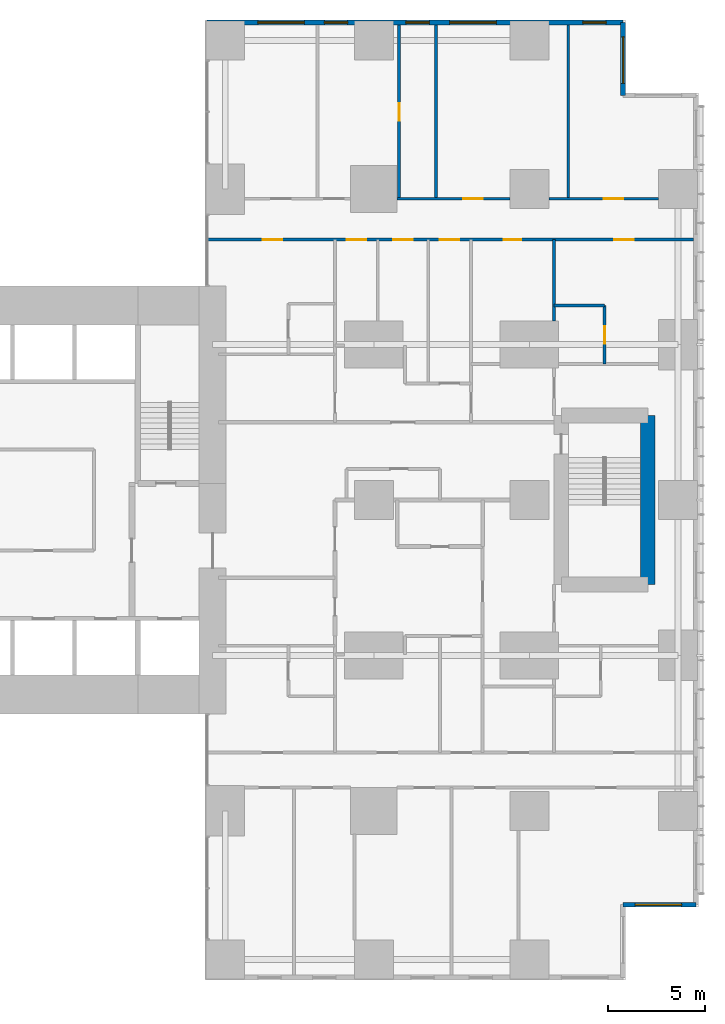
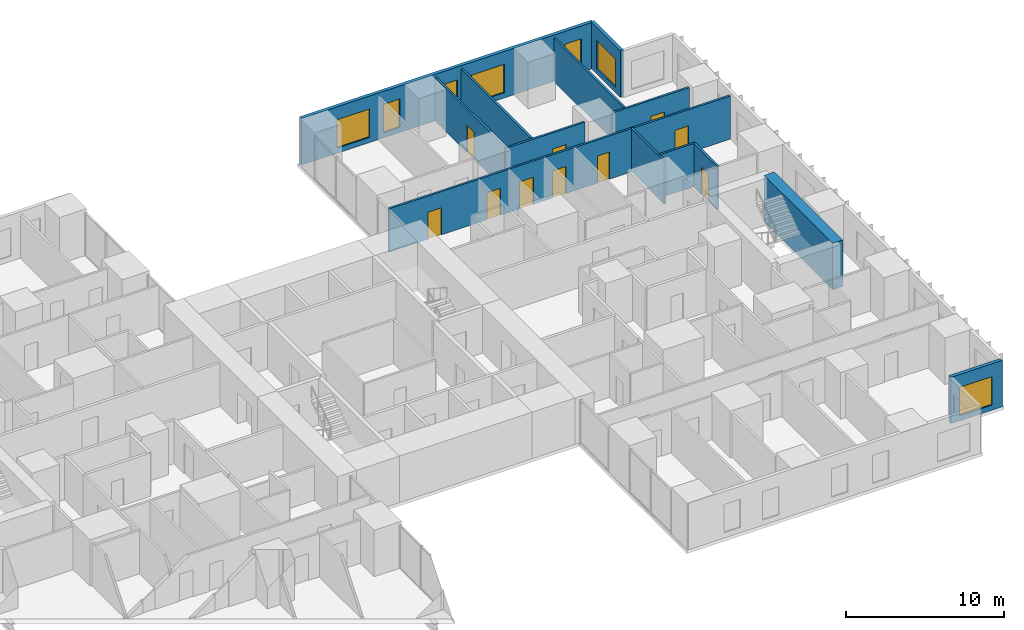
# One storey, part 18 of 20: 13 walls, 10 doors, 7 windows, 17 openings.
"""IFC4 building model written with IfcOpenShell, lengths in metres."""

from ifc_helpers import new_model, si_unit, direction, frame, frame_2d, origin, place, context, subcontext, project, spatial, rectangle, extrude, material, layer, layer_set, type_object, element, fill, save


model = new_model("IFC4")

# Units and contexts
model_context = context("Model", 3, precision=1e-05, world=origin(), true_north=direction((0.0, 1.0)))
body_context = subcontext(model_context, "Body", "Model", "MODEL_VIEW")
ifc_project = project(units=[si_unit("LENGTHUNIT", "METRE"), si_unit("AREAUNIT", "SQUARE_METRE"), si_unit("VOLUMEUNIT", "CUBIC_METRE"), si_unit("PLANEANGLEUNIT", "RADIAN"), si_unit("MASSUNIT", "GRAM", prefix="KILO")], contexts=[model_context])

# Site, building, storey
site_placement = place(None, origin())
site = spatial("IfcSite", under=ifc_project, at=site_placement, CompositionType="ELEMENT")
building_placement = place(site_placement, origin())
building = spatial("IfcBuilding", under=site, at=building_placement, Name="Cleftline Residences", CompositionType="ELEMENT")
storey_placement = place(building_placement, frame((0.0, 0.0, 121.39990234375)))
storey = spatial("IfcBuildingStorey", under=building, at=storey_placement, Name="L31", CompositionType="ELEMENT", Elevation=121.39990234375)

# Wall, opening, window
ifc_material_1 = material(Name="Rendered reinforced concrete blockwork", Category="masonry")
ifc_layer_1 = layer(ifc_material_1, 0.25)
ifc_layer_set_1 = layer_set([ifc_layer_1], Name="EXTERNAL WALL 250")
wall_type_1 = type_object("IfcWallType", Name="EXTERNAL WALL 250", PredefinedType="SOLIDWALL", material=ifc_layer_set_1)
wall_1_placement = place(storey_placement, frame((62.824951171875, 3.175048828125, 0.0), z_axis=(0.0, 0.0, 1.0), x_axis=(1.0, 0.0, 0.0)))
wall_1 = element("IfcWall", 1, at=wall_1_placement, inside=storey, type_object=wall_type_1, Name="External wall", PredefinedType="SOLIDWALL", context=body_context, shape_type="SweptSolid", body=[
    extrude(rectangle(XDim=3.75, YDim=0.25, at=frame_2d((1.875, 0.0))), origin(), (0.0, 0.0, 1.0), 3.60009765625),
])
opening_1_placement = place(wall_1_placement, frame((0.612548828125, 0.0, 0.39990234375)))
opening_1 = element("IfcOpeningElement", 2, at=opening_1_placement, cuts=wall_1, Name="Opening W12", PredefinedType="OPENING", context=body_context, shape_type="SweptSolid", body=[
    extrude(rectangle(XDim=2.39990234375, YDim=2.199951171875, at=frame_2d((1.199951171875, 1.10009765625))), frame((0.0, 0.135009765625, 0.0), z_axis=(0.0, -1.0, 0.0), x_axis=(1.0, 0.0, 0.0)), (0.0, 0.0, 1.0), 0.27001953125),
])
ifc_material_2 = material(Name="Aluminium frame, clear double glazing", Category="aluminium")
window_type_1 = type_object("IfcWindowType", Name="WINDOW 2400X2200", PartitioningType="DOUBLE_PANEL_VERTICAL", PredefinedType="WINDOW", material=ifc_material_2)
window_1_placement = place(opening_1_placement, origin())
window_1 = element("IfcWindow", 3, at=window_1_placement, inside=storey, type_object=window_type_1, Name="Window", OverallHeight=2.199951171875, OverallWidth=2.39990234375, PartitioningType="SINGLE_PANEL", PredefinedType="WINDOW", context=body_context, shape_type="SweptSolid", body=[
    extrude(rectangle(XDim=2.39990234375, YDim=2.199951171875, at=frame_2d((1.199951171875, 1.10009765625))), frame((0.0, 0.030029296875, 0.0), z_axis=(0.0, -1.0, 0.0), x_axis=(1.0, 0.0, 0.0)), (0.0, 0.0, 1.0), 0.06005859375),
])
fill(opening_1, window_1)

wall_2_placement = place(storey_placement, frame((62.824951171875, 44.824951171875, 0.0), z_axis=(0.0, 0.0, 1.0), x_axis=(0.0, 1.0, 0.0)))
wall_2 = element("IfcWall", 4, at=wall_2_placement, inside=storey, type_object=wall_type_1, Name="External wall", PredefinedType="SOLIDWALL", context=body_context, shape_type="SweptSolid", body=[
    extrude(rectangle(XDim=3.75, YDim=0.25, at=frame_2d((1.875, 0.0))), origin(), (0.0, 0.0, 1.0), 3.60009765625),
])
opening_2_placement = place(wall_2_placement, frame((0.612548828125, 0.0, 0.39990234375)))
opening_2 = element("IfcOpeningElement", 5, at=opening_2_placement, cuts=wall_2, Name="Opening W12", PredefinedType="OPENING", context=body_context, shape_type="SweptSolid", body=[
    extrude(rectangle(XDim=2.39990234375, YDim=2.199951171875, at=frame_2d((1.199951171875, 1.10009765625))), frame((0.0, 0.135009765625, 0.0), z_axis=(0.0, -1.0, 0.0), x_axis=(1.0, 0.0, 0.0)), (0.0, 0.0, 1.0), 0.27001953125),
])
window_2_placement = place(opening_2_placement, origin())
window_2 = element("IfcWindow", 6, at=window_2_placement, inside=storey, type_object=window_type_1, Name="Window", OverallHeight=2.199951171875, OverallWidth=2.39990234375, PartitioningType="SINGLE_PANEL", PredefinedType="WINDOW", context=body_context, shape_type="SweptSolid", body=[
    extrude(rectangle(XDim=2.39990234375, YDim=2.199951171875, at=frame_2d((1.199951171875, 1.10009765625))), frame((0.0, 0.030029296875, 0.0), z_axis=(0.0, -1.0, 0.0), x_axis=(1.0, 0.0, 0.0)), (0.0, 0.0, 1.0), 0.06005859375),
])
fill(opening_2, window_2)

# Wall, openings, windows
wall_3_placement = place(storey_placement, frame((62.824951171875, 48.574951171875, 0.0), z_axis=(0.0, 0.0, 1.0), x_axis=(-1.0, 0.0, 0.0)))
wall_3 = element("IfcWall", 7, at=wall_3_placement, inside=storey, type_object=wall_type_1, Name="External wall", PredefinedType="SOLIDWALL", context=body_context, shape_type="SweptSolid", body=[
    extrude(rectangle(XDim=21.39990234375, YDim=0.25, at=frame_2d((10.699951171875, 0.0))), origin(), (0.0, 0.0, 1.0), 3.60009765625),
])
opening_3_placement = place(wall_3_placement, frame((0.875, 0.0, 0.39990234375)))
opening_3 = element("IfcOpeningElement", 8, at=opening_3_placement, cuts=wall_3, Name="Opening W11", PredefinedType="OPENING", context=body_context, shape_type="SweptSolid", body=[
    extrude(rectangle(XDim=1.199951171875, YDim=2.199951171875, at=frame_2d((0.60009765625, 1.10009765625))), frame((0.0, 0.135009765625, 0.0), z_axis=(0.0, -1.0, 0.0), x_axis=(1.0, 0.0, 0.0)), (0.0, 0.0, 1.0), 0.27001953125),
])
opening_4_placement = place(wall_3_placement, frame((6.52490234375, 0.0, 0.39990234375)))
opening_4 = element("IfcOpeningElement", 9, at=opening_4_placement, cuts=wall_3, Name="Opening W12", PredefinedType="OPENING", context=body_context, shape_type="SweptSolid", body=[
    extrude(rectangle(XDim=2.39990234375, YDim=2.199951171875, at=frame_2d((1.199951171875, 1.10009765625))), frame((0.0, 0.135009765625, 0.0), z_axis=(0.0, -1.0, 0.0), x_axis=(1.0, 0.0, 0.0)), (0.0, 0.0, 1.0), 0.27001953125),
])
opening_5_placement = place(wall_3_placement, frame((9.97509765625, 0.0, 0.39990234375)))
opening_5 = element("IfcOpeningElement", 10, at=opening_5_placement, cuts=wall_3, Name="Opening W11", PredefinedType="OPENING", context=body_context, shape_type="SweptSolid", body=[
    extrude(rectangle(XDim=1.199951171875, YDim=2.199951171875, at=frame_2d((0.60009765625, 1.10009765625))), frame((0.0, 0.135009765625, 0.0), z_axis=(0.0, -1.0, 0.0), x_axis=(1.0, 0.0, 0.0)), (0.0, 0.0, 1.0), 0.27001953125),
])
opening_6_placement = place(wall_3_placement, frame((14.175048828125, 0.0, 0.39990234375)))
opening_6 = element("IfcOpeningElement", 11, at=opening_6_placement, cuts=wall_3, Name="Opening W11", PredefinedType="OPENING", context=body_context, shape_type="SweptSolid", body=[
    extrude(rectangle(XDim=1.199951171875, YDim=2.199951171875, at=frame_2d((0.60009765625, 1.10009765625))), frame((0.0, 0.135009765625, 0.0), z_axis=(0.0, -1.0, 0.0), x_axis=(1.0, 0.0, 0.0)), (0.0, 0.0, 1.0), 0.27001953125),
])
opening_7_placement = place(wall_3_placement, frame((16.39990234375, 0.0, 0.39990234375)))
opening_7 = element("IfcOpeningElement", 12, at=opening_7_placement, cuts=wall_3, Name="Opening W12", PredefinedType="OPENING", context=body_context, shape_type="SweptSolid", body=[
    extrude(rectangle(XDim=2.39990234375, YDim=2.199951171875, at=frame_2d((1.199951171875, 1.10009765625))), frame((0.0, 0.135009765625, 0.0), z_axis=(0.0, -1.0, 0.0), x_axis=(1.0, 0.0, 0.0)), (0.0, 0.0, 1.0), 0.27001953125),
])
ifc_material_3 = material(Name="Aluminium frame, clear double glazing", Category="aluminium")
window_type_2 = type_object("IfcWindowType", Name="WINDOW 1200X2200", PartitioningType="DOUBLE_PANEL_VERTICAL", PredefinedType="WINDOW", material=ifc_material_3)
window_3_placement = place(opening_3_placement, origin())
window_3 = element("IfcWindow", 13, at=window_3_placement, inside=storey, type_object=window_type_2, Name="Window", OverallHeight=2.199951171875, OverallWidth=1.199951171875, PartitioningType="SINGLE_PANEL", PredefinedType="WINDOW", context=body_context, shape_type="SweptSolid", body=[
    extrude(rectangle(XDim=1.199951171875, YDim=2.199951171875, at=frame_2d((0.60009765625, 1.10009765625))), frame((0.0, 0.030029296875, 0.0), z_axis=(0.0, -1.0, 0.0), x_axis=(1.0, 0.0, 0.0)), (0.0, 0.0, 1.0), 0.06005859375),
])
fill(opening_3, window_3)
window_4_placement = place(opening_5_placement, origin())
window_4 = element("IfcWindow", 14, at=window_4_placement, inside=storey, type_object=window_type_2, Name="Window", OverallHeight=2.199951171875, OverallWidth=1.199951171875, PartitioningType="SINGLE_PANEL", PredefinedType="WINDOW", context=body_context, shape_type="SweptSolid", body=[
    extrude(rectangle(XDim=1.199951171875, YDim=2.199951171875, at=frame_2d((0.60009765625, 1.10009765625))), frame((0.0, 0.030029296875, 0.0), z_axis=(0.0, -1.0, 0.0), x_axis=(1.0, 0.0, 0.0)), (0.0, 0.0, 1.0), 0.06005859375),
])
fill(opening_5, window_4)
window_5_placement = place(opening_6_placement, origin())
window_5 = element("IfcWindow", 15, at=window_5_placement, inside=storey, type_object=window_type_2, Name="Window", OverallHeight=2.199951171875, OverallWidth=1.199951171875, PartitioningType="SINGLE_PANEL", PredefinedType="WINDOW", context=body_context, shape_type="SweptSolid", body=[
    extrude(rectangle(XDim=1.199951171875, YDim=2.199951171875, at=frame_2d((0.60009765625, 1.10009765625))), frame((0.0, 0.030029296875, 0.0), z_axis=(0.0, -1.0, 0.0), x_axis=(1.0, 0.0, 0.0)), (0.0, 0.0, 1.0), 0.06005859375),
])
fill(opening_6, window_5)
window_6_placement = place(opening_4_placement, origin())
window_6 = element("IfcWindow", 16, at=window_6_placement, inside=storey, type_object=window_type_1, Name="Window", OverallHeight=2.199951171875, OverallWidth=2.39990234375, PartitioningType="SINGLE_PANEL", PredefinedType="WINDOW", context=body_context, shape_type="SweptSolid", body=[
    extrude(rectangle(XDim=2.39990234375, YDim=2.199951171875, at=frame_2d((1.199951171875, 1.10009765625))), frame((0.0, 0.030029296875, 0.0), z_axis=(0.0, -1.0, 0.0), x_axis=(1.0, 0.0, 0.0)), (0.0, 0.0, 1.0), 0.06005859375),
])
fill(opening_4, window_6)
window_7_placement = place(opening_7_placement, origin())
window_7 = element("IfcWindow", 17, at=window_7_placement, inside=storey, type_object=window_type_1, Name="Window", OverallHeight=2.199951171875, OverallWidth=2.39990234375, PartitioningType="SINGLE_PANEL", PredefinedType="WINDOW", context=body_context, shape_type="SweptSolid", body=[
    extrude(rectangle(XDim=2.39990234375, YDim=2.199951171875, at=frame_2d((1.199951171875, 1.10009765625))), frame((0.0, 0.030029296875, 0.0), z_axis=(0.0, -1.0, 0.0), x_axis=(1.0, 0.0, 0.0)), (0.0, 0.0, 1.0), 0.06005859375),
])
fill(opening_7, window_7)

# Wall
ifc_material_4 = material(Name="Gypsum board on steel studs", Category="steel")
ifc_layer_2 = layer(ifc_material_4, 0.14990234375)
ifc_layer_set_2 = layer_set([ifc_layer_2], Name="PARTITION 150")
wall_type_2 = type_object("IfcWallType", Name="PARTITION 150", PredefinedType="PARTITIONING", material=ifc_layer_set_2)
wall_4_placement = place(storey_placement, frame((59.27490234375, 34.0, 0.0), z_axis=(0.0, 0.0, 1.0), x_axis=(1.0, 0.0, 0.0)))
element("IfcWall", 18, at=wall_4_placement, inside=storey, type_object=wall_type_2, Name="Partition", PredefinedType="PARTITIONING", context=body_context, shape_type="SweptSolid", body=[
    extrude(rectangle(XDim=2.60009765625, YDim=0.14990234375, at=frame_2d((1.300048828125, 0.0))), origin(), (0.0, 0.0, 1.0), 3.35009765625),
])

# Wall, openings, doors
wall_5_placement = place(storey_placement, frame((41.43896484375, 37.39990234375, 0.0), z_axis=(0.0, 0.0, 1.0), x_axis=(1.0, 0.0, 0.0)))
wall_5 = element("IfcWall", 19, at=wall_5_placement, inside=storey, type_object=wall_type_2, Name="Partition", PredefinedType="PARTITIONING", context=body_context, shape_type="SweptSolid", body=[
    extrude(rectangle(XDim=25.010986328125, YDim=0.14990234375, at=frame_2d((12.50537109375, 0.0))), origin(), (0.0, 0.0, 1.0), 3.35009765625),
])
opening_8_placement = place(wall_5_placement, frame((11.9609375, 0.0, 0.0)))
opening_8 = element("IfcOpeningElement", 20, at=opening_8_placement, cuts=wall_5, Name="Opening D2F30", PredefinedType="OPENING", context=body_context, shape_type="SweptSolid", body=[
    extrude(rectangle(XDim=1.0, YDim=2.10009765625, at=frame_2d((0.5, 1.050048828125))), frame((0.0, 0.0849609375, 0.0), z_axis=(0.0, -1.0, 0.0), x_axis=(1.0, 0.0, 0.0)), (0.0, 0.0, 1.0), 0.169921875),
])
opening_9_placement = place(wall_5_placement, frame((20.923583984375, 0.0, 0.0)))
opening_9 = element("IfcOpeningElement", 21, at=opening_9_placement, cuts=wall_5, Name="Opening D2F30", PredefinedType="OPENING", context=body_context, shape_type="SweptSolid", body=[
    extrude(rectangle(XDim=1.0, YDim=2.10009765625, at=frame_2d((0.5, 1.050048828125))), frame((0.0, 0.0849609375, 0.0), z_axis=(0.0, -1.0, 0.0), x_axis=(1.0, 0.0, 0.0)), (0.0, 0.0, 1.0), 0.169921875),
])
opening_10_placement = place(wall_5_placement, frame((15.24853515625, 0.0, 0.0)))
opening_10 = element("IfcOpeningElement", 22, at=opening_10_placement, cuts=wall_5, Name="Opening D1F30", PredefinedType="OPENING", context=body_context, shape_type="SweptSolid", body=[
    extrude(rectangle(XDim=0.89990234375, YDim=2.10009765625, at=frame_2d((0.449951171875, 1.050048828125))), frame((0.0, 0.0849609375, 0.0), z_axis=(0.0, -1.0, 0.0), x_axis=(1.0, 0.0, 0.0)), (0.0, 0.0, 1.0), 0.169921875),
])
opening_11_placement = place(wall_5_placement, frame((9.56103515625, 0.0, 0.0)))
opening_11 = element("IfcOpeningElement", 23, at=opening_11_placement, cuts=wall_5, Name="Opening D2F30", PredefinedType="OPENING", context=body_context, shape_type="SweptSolid", body=[
    extrude(rectangle(XDim=1.0, YDim=2.10009765625, at=frame_2d((0.5, 1.050048828125))), frame((0.0, 0.0849609375, 0.0), z_axis=(0.0, -1.0, 0.0), x_axis=(1.0, 0.0, 0.0)), (0.0, 0.0, 1.0), 0.169921875),
])
opening_12_placement = place(wall_5_placement, frame((7.160888671875, 0.0, 0.0)))
opening_12 = element("IfcOpeningElement", 24, at=opening_12_placement, cuts=wall_5, Name="Opening D2F30", PredefinedType="OPENING", context=body_context, shape_type="SweptSolid", body=[
    extrude(rectangle(XDim=1.0, YDim=2.10009765625, at=frame_2d((0.5, 1.050048828125))), frame((0.0, 0.0849609375, 0.0), z_axis=(0.0, -1.0, 0.0), x_axis=(1.0, 0.0, 0.0)), (0.0, 0.0, 1.0), 0.169921875),
])
opening_13_placement = place(wall_5_placement, frame((2.8359375, 0.0, 0.0)))
opening_13 = element("IfcOpeningElement", 25, at=opening_13_placement, cuts=wall_5, Name="Opening D2F30", PredefinedType="OPENING", context=body_context, shape_type="SweptSolid", body=[
    extrude(rectangle(XDim=1.0, YDim=2.10009765625, at=frame_2d((0.5, 1.050048828125))), frame((0.0, 0.0849609375, 0.0), z_axis=(0.0, -1.0, 0.0), x_axis=(1.0, 0.0, 0.0)), (0.0, 0.0, 1.0), 0.169921875),
])
ifc_material_5 = material(Name="Timber veneer on solid core", Category="wood")
door_type_1 = type_object("IfcDoorType", Name="DOOR 1000X2100 EI 30", OperationType="SINGLE_SWING_LEFT", PredefinedType="DOOR", material=ifc_material_5)
door_1_placement = place(opening_8_placement, origin())
door_1 = element("IfcDoor", 26, at=door_1_placement, inside=storey, type_object=door_type_1, Name="Door to residence hall (gallery)", OperationType="SINGLE_SWING_RIGHT", OverallHeight=2.10009765625, OverallWidth=1.0, PredefinedType="DOOR", context=body_context, shape_type="SweptSolid", body=[
    extrude(rectangle(XDim=1.0, YDim=2.10009765625, at=frame_2d((0.5, 1.050048828125))), frame((0.0, 0.02490234375, 0.0), z_axis=(0.0, -1.0, 0.0), x_axis=(1.0, 0.0, 0.0)), (0.0, 0.0, 1.0), 0.050048828125),
])
fill(opening_8, door_1)
door_2_placement = place(opening_9_placement, origin())
door_2 = element("IfcDoor", 27, at=door_2_placement, inside=storey, type_object=door_type_1, Name="Door to master bedroom", OperationType="SINGLE_SWING_LEFT", OverallHeight=2.10009765625, OverallWidth=1.0, PredefinedType="DOOR", context=body_context, shape_type="SweptSolid", body=[
    extrude(rectangle(XDim=1.0, YDim=2.10009765625, at=frame_2d((0.5, 1.050048828125))), frame((0.0, 0.02490234375, 0.0), z_axis=(0.0, -1.0, 0.0), x_axis=(1.0, 0.0, 0.0)), (0.0, 0.0, 1.0), 0.050048828125),
])
fill(opening_9, door_2)
door_3_placement = place(opening_11_placement, origin())
door_3 = element("IfcDoor", 28, at=door_3_placement, inside=storey, type_object=door_type_1, Name="Door to dining room", OperationType="SINGLE_SWING_RIGHT", OverallHeight=2.10009765625, OverallWidth=1.0, PredefinedType="DOOR", context=body_context, shape_type="SweptSolid", body=[
    extrude(rectangle(XDim=1.0, YDim=2.10009765625, at=frame_2d((0.5, 1.050048828125))), frame((0.0, 0.02490234375, 0.0), z_axis=(0.0, -1.0, 0.0), x_axis=(1.0, 0.0, 0.0)), (0.0, 0.0, 1.0), 0.050048828125),
])
fill(opening_11, door_3)
door_4_placement = place(opening_12_placement, origin())
door_4 = element("IfcDoor", 29, at=door_4_placement, inside=storey, type_object=door_type_1, Name="Door to show kitchen", OperationType="SINGLE_SWING_RIGHT", OverallHeight=2.10009765625, OverallWidth=1.0, PredefinedType="DOOR", context=body_context, shape_type="SweptSolid", body=[
    extrude(rectangle(XDim=1.0, YDim=2.10009765625, at=frame_2d((0.5, 1.050048828125))), frame((0.0, 0.02490234375, 0.0), z_axis=(0.0, -1.0, 0.0), x_axis=(1.0, 0.0, 0.0)), (0.0, 0.0, 1.0), 0.050048828125),
])
fill(opening_12, door_4)
door_5_placement = place(opening_13_placement, origin())
door_5 = element("IfcDoor", 30, at=door_5_placement, inside=storey, type_object=door_type_1, Name="Door to bedroom 3", OperationType="SINGLE_SWING_RIGHT", OverallHeight=2.10009765625, OverallWidth=1.0, PredefinedType="DOOR", context=body_context, shape_type="SweptSolid", body=[
    extrude(rectangle(XDim=1.0, YDim=2.10009765625, at=frame_2d((0.5, 1.050048828125))), frame((0.0, 0.02490234375, 0.0), z_axis=(0.0, -1.0, 0.0), x_axis=(1.0, 0.0, 0.0)), (0.0, 0.0, 1.0), 0.050048828125),
])
fill(opening_13, door_5)
ifc_material_6 = material(Name="Timber veneer on solid core", Category="wood")
door_type_2 = type_object("IfcDoorType", Name="DOOR 900X2100 EI 30", OperationType="SINGLE_SWING_LEFT", PredefinedType="DOOR", material=ifc_material_6)
door_6_placement = place(opening_10_placement, origin())
door_6 = element("IfcDoor", 31, at=door_6_placement, inside=storey, type_object=door_type_2, Name="Door to guest bathroom", OperationType="SINGLE_SWING_LEFT", OverallHeight=2.10009765625, OverallWidth=0.89990234375, PredefinedType="DOOR", context=body_context, shape_type="SweptSolid", body=[
    extrude(rectangle(XDim=0.89990234375, YDim=2.10009765625, at=frame_2d((0.449951171875, 1.050048828125))), frame((0.0, 0.02490234375, 0.0), z_axis=(0.0, -1.0, 0.0), x_axis=(1.0, 0.0, 0.0)), (0.0, 0.0, 1.0), 0.050048828125),
])
fill(opening_10, door_6)

# Wall, opening, door
wall_6_placement = place(storey_placement, frame((51.199951171875, 39.5, 0.0), z_axis=(0.0, 0.0, 1.0), x_axis=(1.0, 0.0, 0.0)))
wall_6 = element("IfcWall", 32, at=wall_6_placement, inside=storey, type_object=wall_type_2, Name="Partition", PredefinedType="PARTITIONING", context=body_context, shape_type="SweptSolid", body=[
    extrude(rectangle(XDim=5.800048828125, YDim=0.14990234375, at=frame_2d((2.89990234375, 0.0))), origin(), (0.0, 0.0, 1.0), 3.35009765625),
])
opening_14_placement = place(wall_6_placement, frame((3.39990234375, 0.0, 0.0)))
opening_14 = element("IfcOpeningElement", 33, at=opening_14_placement, cuts=wall_6, Name="Opening D2", PredefinedType="OPENING", context=body_context, shape_type="SweptSolid", body=[
    extrude(rectangle(XDim=1.0, YDim=2.10009765625, at=frame_2d((0.5, 1.050048828125))), frame((0.0, 0.0849609375, 0.0), z_axis=(0.0, -1.0, 0.0), x_axis=(1.0, 0.0, 0.0)), (0.0, 0.0, 1.0), 0.169921875),
])
ifc_material_7 = material(Name="Timber veneer on solid core", Category="wood")
door_type_3 = type_object("IfcDoorType", Name="DOOR 1000X2100", OperationType="SINGLE_SWING_LEFT", PredefinedType="DOOR", material=ifc_material_7)
door_7_placement = place(opening_14_placement, origin())
door_7 = element("IfcDoor", 34, at=door_7_placement, inside=storey, type_object=door_type_3, Name="Door to living room", OperationType="SINGLE_SWING_LEFT", OverallHeight=2.10009765625, OverallWidth=1.0, PredefinedType="DOOR", context=body_context, shape_type="SweptSolid", body=[
    extrude(rectangle(XDim=1.0, YDim=2.10009765625, at=frame_2d((0.5, 1.050048828125))), frame((0.0, 0.02490234375, 0.0), z_axis=(0.0, -1.0, 0.0), x_axis=(1.0, 0.0, 0.0)), (0.0, 0.0, 1.0), 0.050048828125),
])
fill(opening_14, door_7)

wall_7_placement = place(storey_placement, frame((59.0, 39.5, 0.0), z_axis=(0.0, 0.0, 1.0), x_axis=(1.0, 0.0, 0.0)))
wall_7 = element("IfcWall", 35, at=wall_7_placement, inside=storey, type_object=wall_type_2, Name="Partition", PredefinedType="PARTITIONING", context=body_context, shape_type="SweptSolid", body=[
    extrude(rectangle(XDim=5.64990234375, YDim=0.14990234375, at=frame_2d((2.824951171875, 0.0))), origin(), (0.0, 0.0, 1.0), 3.35009765625),
])
opening_15_placement = place(wall_7_placement, frame((2.824951171875, 0.0, 0.0)))
opening_15 = element("IfcOpeningElement", 36, at=opening_15_placement, cuts=wall_7, Name="Opening D2", PredefinedType="OPENING", context=body_context, shape_type="SweptSolid", body=[
    extrude(rectangle(XDim=1.0, YDim=2.10009765625, at=frame_2d((0.5, 1.050048828125))), frame((0.0, 0.0849609375, 0.0), z_axis=(0.0, -1.0, 0.0), x_axis=(1.0, 0.0, 0.0)), (0.0, 0.0, 1.0), 0.169921875),
])
door_8_placement = place(opening_15_placement, origin())
door_8 = element("IfcDoor", 37, at=door_8_placement, inside=storey, type_object=door_type_3, Name="Door to winter garden", OperationType="SINGLE_SWING_LEFT", OverallHeight=2.10009765625, OverallWidth=1.0, PredefinedType="DOOR", context=body_context, shape_type="SweptSolid", body=[
    extrude(rectangle(XDim=1.0, YDim=2.10009765625, at=frame_2d((0.5, 1.050048828125))), frame((0.0, 0.02490234375, 0.0), z_axis=(0.0, -1.0, 0.0), x_axis=(1.0, 0.0, 0.0)), (0.0, 0.0, 1.0), 0.050048828125),
])
fill(opening_15, door_8)

wall_8_placement = place(storey_placement, frame((51.300048828125, 39.5, 0.0), z_axis=(0.0, 0.0, 1.0), x_axis=(0.0, 1.0, 0.0)))
wall_8 = element("IfcWall", 38, at=wall_8_placement, inside=storey, type_object=wall_type_2, Name="Partition", PredefinedType="PARTITIONING", context=body_context, shape_type="SweptSolid", body=[
    extrude(rectangle(XDim=8.949951171875, YDim=0.14990234375, at=frame_2d((4.47509765625, 0.0))), origin(), (0.0, 0.0, 1.0), 3.35009765625),
])
opening_16_placement = place(wall_8_placement, frame((4.02490234375, 0.0, 0.0)))
opening_16 = element("IfcOpeningElement", 39, at=opening_16_placement, cuts=wall_8, Name="Opening D1", PredefinedType="OPENING", context=body_context, shape_type="SweptSolid", body=[
    extrude(rectangle(XDim=0.89990234375, YDim=2.10009765625, at=frame_2d((0.449951171875, 1.050048828125))), frame((0.0, 0.0849609375, 0.0), z_axis=(0.0, -1.0, 0.0), x_axis=(1.0, 0.0, 0.0)), (0.0, 0.0, 1.0), 0.169921875),
])
ifc_material_8 = material(Name="Timber veneer on solid core", Category="wood")
door_type_4 = type_object("IfcDoorType", Name="DOOR 900X2100", OperationType="SINGLE_SWING_LEFT", PredefinedType="DOOR", material=ifc_material_8)
door_9_placement = place(opening_16_placement, origin())
door_9 = element("IfcDoor", 40, at=door_9_placement, inside=storey, type_object=door_type_4, Name="Door to en-suite bathroom 2", OperationType="SINGLE_SWING_LEFT", OverallHeight=2.10009765625, OverallWidth=0.89990234375, PredefinedType="DOOR", context=body_context, shape_type="SweptSolid", body=[
    extrude(rectangle(XDim=0.89990234375, YDim=2.10009765625, at=frame_2d((0.449951171875, 1.050048828125))), frame((0.0, 0.02490234375, 0.0), z_axis=(0.0, -1.0, 0.0), x_axis=(1.0, 0.0, 0.0)), (0.0, 0.0, 1.0), 0.050048828125),
])
fill(opening_16, door_9)

# Walls
wall_9_placement = place(storey_placement, frame((53.199951171875, 39.5, 0.0), z_axis=(0.0, 0.0, 1.0), x_axis=(0.0, 1.0, 0.0)))
element("IfcWall", 41, at=wall_9_placement, inside=storey, type_object=wall_type_2, Name="Partition", PredefinedType="PARTITIONING", context=body_context, shape_type="SweptSolid", body=[
    extrude(rectangle(XDim=8.949951171875, YDim=0.14990234375, at=frame_2d((4.47509765625, 0.0))), origin(), (0.0, 0.0, 1.0), 3.35009765625),
])
wall_10_placement = place(storey_placement, frame((59.27490234375, 33.199951171875, 0.0), z_axis=(0.0, 0.0, 1.0), x_axis=(0.0, 1.0, 0.0)))
element("IfcWall", 42, at=wall_10_placement, inside=storey, type_object=wall_type_2, Name="Partition", PredefinedType="PARTITIONING", context=body_context, shape_type="SweptSolid", body=[
    extrude(rectangle(XDim=4.199951171875, YDim=0.14990234375, at=frame_2d((2.10009765625, 0.0))), origin(), (0.0, 0.0, 1.0), 3.35009765625),
])
wall_11_placement = place(storey_placement, frame((60.0, 39.5, 0.0), z_axis=(0.0, 0.0, 1.0), x_axis=(0.0, 1.0, 0.0)))
element("IfcWall", 43, at=wall_11_placement, inside=storey, type_object=wall_type_2, Name="Partition", PredefinedType="PARTITIONING", context=body_context, shape_type="SweptSolid", body=[
    extrude(rectangle(XDim=8.949951171875, YDim=0.14990234375, at=frame_2d((4.47509765625, 0.0))), origin(), (0.0, 0.0, 1.0), 3.35009765625),
])

# Wall, opening, door
wall_12_placement = place(storey_placement, frame((61.875, 31.0, 0.0), z_axis=(0.0, 0.0, 1.0), x_axis=(0.0, 1.0, 0.0)))
wall_12 = element("IfcWall", 44, at=wall_12_placement, inside=storey, type_object=wall_type_2, Name="Partition", PredefinedType="PARTITIONING", context=body_context, shape_type="SweptSolid", body=[
    extrude(rectangle(XDim=3.0, YDim=0.14990234375, at=frame_2d((1.5, 0.0))), origin(), (0.0, 0.0, 1.0), 3.35009765625),
])
opening_17_placement = place(wall_12_placement, frame((1.050048828125, 0.0, 0.0)))
opening_17 = element("IfcOpeningElement", 45, at=opening_17_placement, cuts=wall_12, Name="Opening D1", PredefinedType="OPENING", context=body_context, shape_type="SweptSolid", body=[
    extrude(rectangle(XDim=0.89990234375, YDim=2.10009765625, at=frame_2d((0.449951171875, 1.050048828125))), frame((0.0, 0.0849609375, 0.0), z_axis=(0.0, -1.0, 0.0), x_axis=(1.0, 0.0, 0.0)), (0.0, 0.0, 1.0), 0.169921875),
])
door_10_placement = place(opening_17_placement, origin())
door_10 = element("IfcDoor", 46, at=door_10_placement, inside=storey, type_object=door_type_4, Name="Door to master bathroom", OperationType="SINGLE_SWING_LEFT", OverallHeight=2.10009765625, OverallWidth=0.89990234375, PredefinedType="DOOR", context=body_context, shape_type="SweptSolid", body=[
    extrude(rectangle(XDim=0.89990234375, YDim=2.10009765625, at=frame_2d((0.449951171875, 1.050048828125))), frame((0.0, 0.02490234375, 0.0), z_axis=(0.0, -1.0, 0.0), x_axis=(1.0, 0.0, 0.0)), (0.0, 0.0, 1.0), 0.050048828125),
])
fill(opening_17, door_10)

# Wall
ifc_material_9 = material(Name="Concrete B70", Category="concrete")
ifc_layer_3 = layer(ifc_material_9, 0.75)
ifc_layer_set_3 = layer_set([ifc_layer_3], Name="SHEAR WALL 750")
wall_type_3 = type_object("IfcWallType", Name="SHEAR WALL 750", PredefinedType="SHEAR", material=ifc_layer_set_3)
wall_13_placement = place(storey_placement, frame((64.10009765625, 19.64990234375, 0.0), z_axis=(0.0, 0.0, 1.0), x_axis=(0.0, 1.0, 0.0)))
element("IfcWall", 47, at=wall_13_placement, inside=storey, type_object=wall_type_3, Name="Wing shear wall", PredefinedType="SHEAR", context=body_context, shape_type="SweptSolid", body=[
    extrude(rectangle(XDim=8.7001953125, YDim=0.75, at=frame_2d((4.35009765625, 0.0))), origin(), (0.0, 0.0, 1.0), 3.60009765625),
])

save(model, "model.ifc")
